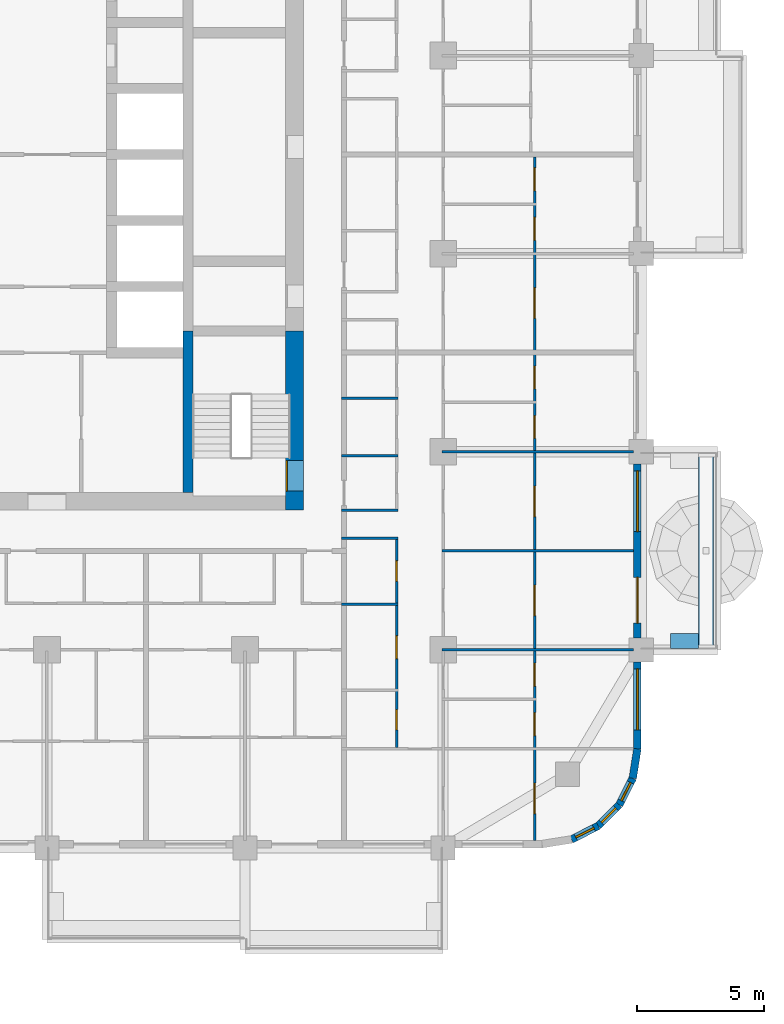
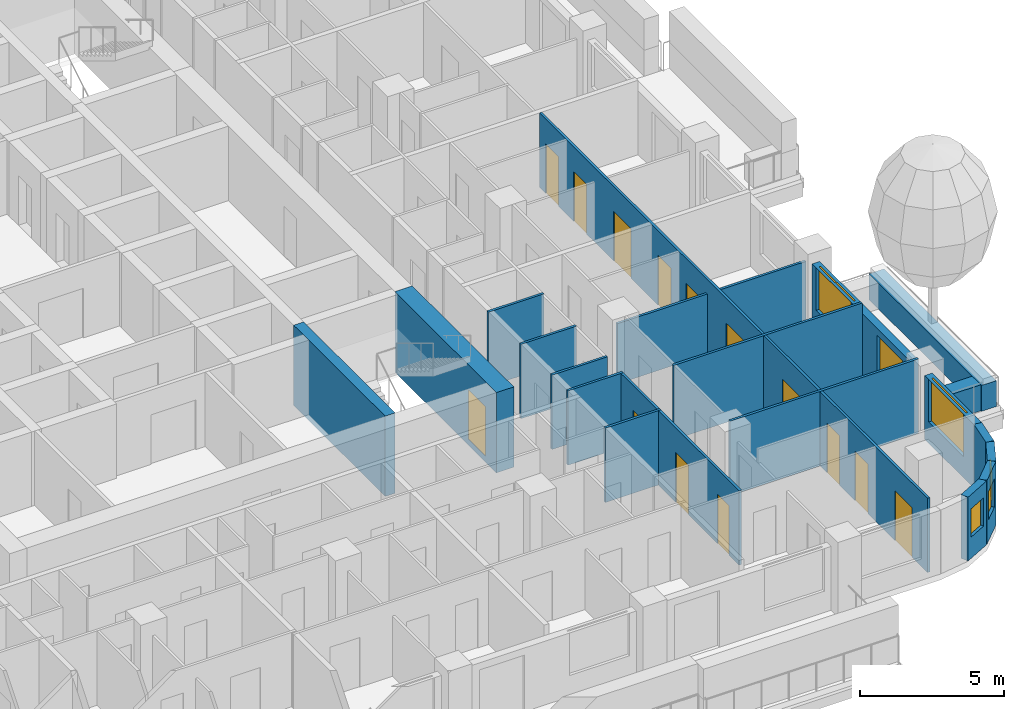
# One storey, part 8 of 19: 20 walls, 15 doors, 5 windows, 20 openings.
"""IFC4 building model written with IfcOpenShell, lengths in metres."""

from ifc_helpers import new_model, si_unit, direction, frame, frame_2d, origin, place, context, subcontext, project, spatial, rectangle, extrude, material, layer, layer_set, type_object, element, fill, save


model = new_model("IFC4")

# Units and contexts
model_context = context("Model", 3, precision=1e-05, world=origin(), true_north=direction((0.0, 1.0)))
body_context = subcontext(model_context, "Body", "Model", "MODEL_VIEW")
ifc_project = project(units=[si_unit("LENGTHUNIT", "METRE"), si_unit("AREAUNIT", "SQUARE_METRE"), si_unit("VOLUMEUNIT", "CUBIC_METRE"), si_unit("PLANEANGLEUNIT", "RADIAN"), si_unit("MASSUNIT", "GRAM", prefix="KILO")], contexts=[model_context])

# Site, building, storey
site_placement = place(None, origin())
site = spatial("IfcSite", under=ifc_project, at=site_placement, CompositionType="ELEMENT")
building_placement = place(site_placement, origin())
building = spatial("IfcBuilding", under=site, at=building_placement, Name="Ludao Terraces", CompositionType="ELEMENT")
storey_placement = place(building_placement, frame((0.0, 0.0, 81.800048828125)))
storey = spatial("IfcBuildingStorey", under=building, at=storey_placement, Name="L22", CompositionType="ELEMENT", Elevation=81.800048828125)

# Wall, opening, door
ifc_material_1 = material(Name="Concrete C70", Category="concrete")
ifc_layer_1 = layer(ifc_material_1, 0.699951171875)
ifc_layer_set_1 = layer_set([ifc_layer_1], Name="Core wall 700 C70")
wall_type_1 = type_object("IfcWallType", Name="Core wall 700 C70", PredefinedType="SOLIDWALL", material=ifc_layer_set_1)
wall_1_placement = place(storey_placement, frame((94.75, 54.89990234375, -0.25), z_axis=(0.0, 0.0, 1.0), x_axis=(0.0, 1.0, 0.0)))
wall_1 = element("IfcWall", 1, at=wall_1_placement, inside=storey, type_object=wall_type_1, Name="Core wall L22 outer-E-S3", PredefinedType="SOLIDWALL", context=body_context, shape_type="SweptSolid", body=[
    extrude(rectangle(XDim=7.050048828125, YDim=0.699951171875, at=frame_2d((3.52490234375, 0.0))), origin(), (0.0, 0.0, 1.0), 3.39990234375),
])
opening_1_placement = place(wall_1_placement, frame((0.75, 0.0, 0.25)))
opening_1 = element("IfcOpeningElement", 2, at=opening_1_placement, cuts=wall_1, Name="Opening R06-059", PredefinedType="OPENING", context=body_context, shape_type="SweptSolid", body=[
    extrude(rectangle(XDim=1.199951171875, YDim=2.10009765625, at=frame_2d((0.60009765625, 1.050048828125))), frame((0.0, 0.35986328125, 0.0), z_axis=(0.0, -1.0, 0.0), x_axis=(1.0, 0.0, 0.0)), (0.0, 0.0, 1.0), 0.719970703125),
])
ifc_material_2 = material(Name="Steel Q235", Category="steel")
door_type_1 = type_object("IfcDoorType", Name="INT Stair door 1200", OperationType="DOUBLE_DOOR_SINGLE_SWING", PredefinedType="DOOR", material=ifc_material_2)
door_1_placement = place(opening_1_placement, origin())
door_1 = element("IfcDoor", 3, at=door_1_placement, inside=storey, type_object=door_type_1, Name="DOOR 059", OperationType="DOUBLE_DOOR_SINGLE_SWING", OverallHeight=2.10009765625, OverallWidth=1.199951171875, PredefinedType="DOOR", context=body_context, shape_type="SweptSolid", body=[
    extrude(rectangle(XDim=1.199951171875, YDim=2.10009765625, at=frame_2d((0.60009765625, 1.050048828125))), frame((0.0, 0.3349609375, 0.0), z_axis=(0.0, -1.0, 0.0), x_axis=(1.0, 0.0, 0.0)), (0.0, 0.0, 1.0), 0.050048828125),
])
fill(opening_1, door_1)

# Walls
ifc_material_3 = material(Name="Concrete C40", Category="concrete")
ifc_layer_2 = layer(ifc_material_3, 0.60009765625)
ifc_layer_set_2 = layer_set([ifc_layer_2], Name="ENV Planter trough 600")
wall_type_2 = type_object("IfcWallType", Name="ENV Planter trough 600", PredefinedType="USERDEFINED", material=ifc_layer_set_2)
wall_2_placement = place(storey_placement, frame((110.949951171875, 49.39990234375, 0.0), z_axis=(0.0, 0.0, 1.0), x_axis=(0.0, 1.0, 0.0)))
element("IfcWall", 4, at=wall_2_placement, inside=storey, type_object=wall_type_2, Name="PL-L22-E1", ObjectType="PLANTER", PredefinedType="USERDEFINED", context=body_context, shape_type="SweptSolid", body=[
    extrude(rectangle(XDim=7.800048828125, YDim=0.60009765625, at=frame_2d((3.89990234375, 0.0))), origin(), (0.0, 0.0, 1.0), 1.099853515625),
])
wall_3_placement = place(storey_placement, frame((110.64990234375, 49.75, 0.0), z_axis=(0.0, 0.0, 1.0), x_axis=(-1.0, 0.0, 0.0)))
element("IfcWall", 5, at=wall_3_placement, inside=storey, type_object=wall_type_2, Name="PL-L22-E1-SA", ObjectType="PLANTER", PredefinedType="USERDEFINED", context=body_context, shape_type="SweptSolid", body=[
    extrude(rectangle(XDim=1.099853515625, YDim=0.60009765625, at=frame_2d((0.5498046875, 0.0))), origin(), (0.0, 0.0, 1.0), 1.099853515625),
])

# Wall, opening, window
ifc_material_4 = material(Name="Granite cladding", Category="masonry")
ifc_layer_3 = layer(ifc_material_4, 0.0400390625, Category="stone")
ifc_material_5 = material(Name="Mineral wool")
ifc_layer_4 = layer(ifc_material_5, 0.06005859375)
ifc_layer_5 = layer(ifc_material_3, 0.199951171875, Category="concrete")
ifc_layer_set_3 = layer_set([ifc_layer_3, ifc_layer_4, ifc_layer_5], Name="ENV Stone-clad wall 300")
wall_type_3 = type_object("IfcWallType", Name="ENV Stone-clad wall 300", PredefinedType="SOLIDWALL", material=ifc_layer_set_3)
wall_4_placement = place(storey_placement, frame((108.25, 45.5, 0.0), z_axis=(0.0, 0.0, 1.0), x_axis=(0.0, 1.0, 0.0)))
wall_4 = element("IfcWall", 6, at=wall_4_placement, inside=storey, type_object=wall_type_3, Name="EW-L22-E1", PredefinedType="SOLIDWALL", context=body_context, shape_type="SweptSolid", body=[
    extrude(rectangle(XDim=3.425048828125, YDim=0.300048828125, at=frame_2d((1.71240234375, 0.0))), origin(), (0.0, 0.0, 1.0), 2.699951171875),
])
opening_2_placement = place(wall_4_placement, frame((0.75, 0.0, 0.89990234375)))
opening_2 = element("IfcOpeningElement", 7, at=opening_2_placement, cuts=wall_4, Name="Opening W1", PredefinedType="OPENING", context=body_context, shape_type="SweptSolid", body=[
    extrude(rectangle(XDim=2.39990234375, YDim=1.800048828125, at=frame_2d((1.199951171875, 0.89990234375))), frame((0.0, 0.16015625, 0.0), z_axis=(0.0, -1.0, 0.0), x_axis=(1.0, 0.0, 0.0)), (0.0, 0.0, 1.0), 0.320068359375),
])
ifc_material_6 = material(Name="Clear glass in aluminium frame", Category="aluminium")
ifc_layer_6 = layer(ifc_material_6, 0.06005859375)
ifc_layer_set_4 = layer_set([ifc_layer_6], Name="ENV Window W1 2400x1800")
window_type_1 = type_object("IfcWindowType", Name="ENV Window W1 2400x1800", PartitioningType="DOUBLE_PANEL_VERTICAL", PredefinedType="WINDOW", material=ifc_layer_set_4)
window_1_placement = place(opening_2_placement, origin())
window_1 = element("IfcWindow", 8, at=window_1_placement, inside=storey, type_object=window_type_1, Name="W-L22-E1-1", OverallHeight=1.800048828125, OverallWidth=2.39990234375, PartitioningType="DOUBLE_PANEL_VERTICAL", PredefinedType="WINDOW", context=body_context, shape_type="SweptSolid", body=[
    extrude(rectangle(XDim=2.39990234375, YDim=1.800048828125, at=frame_2d((1.199951171875, 0.89990234375))), frame((0.0, 0.030029296875, 0.0), z_axis=(0.0, -1.0, 0.0), x_axis=(1.0, 0.0, 0.0)), (0.0, 0.0, 1.0), 0.06005859375),
])
fill(opening_2, window_1)

# Wall, openings, door, window
wall_5_placement = place(storey_placement, frame((108.25, 49.875, 0.0), z_axis=(0.0, 0.0, 1.0), x_axis=(0.0, 1.0, 0.0)))
wall_5 = element("IfcWall", 9, at=wall_5_placement, inside=storey, type_object=wall_type_3, Name="EW-L22-E2", PredefinedType="SOLIDWALL", context=body_context, shape_type="SweptSolid", body=[
    extrude(rectangle(XDim=6.85009765625, YDim=0.300048828125, at=frame_2d((3.425048828125, 0.0))), origin(), (0.0, 0.0, 1.0), 2.699951171875),
])
opening_3_placement = place(wall_5_placement, frame((0.574951171875, 0.0, 0.0)))
opening_3 = element("IfcOpeningElement", 10, at=opening_3_placement, cuts=wall_5, Name="Opening BD", PredefinedType="OPENING", context=body_context, shape_type="SweptSolid", body=[
    extrude(rectangle(XDim=1.800048828125, YDim=2.39990234375, at=frame_2d((0.89990234375, 1.199951171875))), frame((0.0, 0.16015625, 0.0), z_axis=(0.0, -1.0, 0.0), x_axis=(1.0, 0.0, 0.0)), (0.0, 0.0, 1.0), 0.320068359375),
])
opening_4_placement = place(wall_5_placement, frame((4.175048828125, 0.0, 0.89990234375)))
opening_4 = element("IfcOpeningElement", 11, at=opening_4_placement, cuts=wall_5, Name="Opening W1", PredefinedType="OPENING", context=body_context, shape_type="SweptSolid", body=[
    extrude(rectangle(XDim=2.39990234375, YDim=1.800048828125, at=frame_2d((1.199951171875, 0.89990234375))), frame((0.0, 0.16015625, 0.0), z_axis=(0.0, -1.0, 0.0), x_axis=(1.0, 0.0, 0.0)), (0.0, 0.0, 1.0), 0.320068359375),
])
ifc_material_7 = material(Name="Aluminium glazed door", Category="aluminium")
ifc_layer_7 = layer(ifc_material_7, 0.06005859375)
ifc_layer_set_5 = layer_set([ifc_layer_7], Name="ENV Balcony door BD 1800x2400")
door_type_2 = type_object("IfcDoorType", Name="ENV Balcony door BD 1800x2400", OperationType="DOUBLE_DOOR_SINGLE_SWING", PredefinedType="DOOR", material=ifc_layer_set_5)
door_2_placement = place(opening_3_placement, origin())
door_2 = element("IfcDoor", 12, at=door_2_placement, inside=storey, type_object=door_type_2, Name="BD-L22-E2-1", OperationType="DOUBLE_DOOR_SINGLE_SWING", OverallHeight=2.39990234375, OverallWidth=1.800048828125, PredefinedType="DOOR", context=body_context, shape_type="SweptSolid", body=[
    extrude(rectangle(XDim=1.800048828125, YDim=2.39990234375, at=frame_2d((0.89990234375, 1.199951171875))), frame((0.0, 0.02490234375, 0.0), z_axis=(0.0, -1.0, 0.0), x_axis=(1.0, 0.0, 0.0)), (0.0, 0.0, 1.0), 0.050048828125),
])
fill(opening_3, door_2)
window_2_placement = place(opening_4_placement, origin())
window_2 = element("IfcWindow", 13, at=window_2_placement, inside=storey, type_object=window_type_1, Name="W-L22-E2-2", OverallHeight=1.800048828125, OverallWidth=2.39990234375, PartitioningType="DOUBLE_PANEL_VERTICAL", PredefinedType="WINDOW", context=body_context, shape_type="SweptSolid", body=[
    extrude(rectangle(XDim=2.39990234375, YDim=1.800048828125, at=frame_2d((1.199951171875, 0.89990234375))), frame((0.0, 0.030029296875, 0.0), z_axis=(0.0, -1.0, 0.0), x_axis=(1.0, 0.0, 0.0)), (0.0, 0.0, 1.0), 0.06005859375),
])
fill(opening_4, window_2)

# Wall, opening, window
wall_6_placement = place(storey_placement, frame((105.65869140625, 41.93359375, 0.0), z_axis=(0.0, 0.0, 1.0), x_axis=(0.890988677504, 0.454025524128, 0.0)))
wall_6 = element("IfcWall", 14, at=wall_6_placement, inside=storey, type_object=wall_type_3, Name="EW-L22-SE2", PredefinedType="SOLIDWALL", context=body_context, shape_type="SweptSolid", body=[
    extrude(rectangle(XDim=1.17333984375, YDim=0.300048828125, at=frame_2d((0.586669921875, 0.0))), origin(), (0.0, 0.0, 1.0), 2.699951171875),
])
opening_5_placement = place(wall_6_placement, frame((0.1865234375, 0.0, 0.89990234375)))
opening_5 = element("IfcOpeningElement", 15, at=opening_5_placement, cuts=wall_6, Name="Opening W3", PredefinedType="OPENING", context=body_context, shape_type="SweptSolid", body=[
    extrude(rectangle(XDim=0.800048828125, YDim=1.199951171875, at=frame_2d((0.39990234375, 0.60009765625))), frame((0.0, 0.16015625, 0.0), z_axis=(0.0, -1.0, 0.0), x_axis=(1.0, 0.0, 0.0)), (0.0, 0.0, 1.0), 0.320068359375),
])
ifc_layer_8 = layer(ifc_material_6, 0.06005859375)
ifc_layer_set_6 = layer_set([ifc_layer_8], Name="ENV Window W3 800x1200")
window_type_2 = type_object("IfcWindowType", Name="ENV Window W3 800x1200", PartitioningType="SINGLE_PANEL", PredefinedType="WINDOW", material=ifc_layer_set_6)
window_3_placement = place(opening_5_placement, origin())
window_3 = element("IfcWindow", 16, at=window_3_placement, inside=storey, type_object=window_type_2, Name="W-L22-SE2", OverallHeight=1.199951171875, OverallWidth=0.800048828125, PartitioningType="SINGLE_PANEL", PredefinedType="WINDOW", context=body_context, shape_type="SweptSolid", body=[
    extrude(rectangle(XDim=0.800048828125, YDim=1.199951171875, at=frame_2d((0.39990234375, 0.60009765625))), frame((0.0, 0.030029296875, 0.0), z_axis=(0.0, -1.0, 0.0), x_axis=(1.0, 0.0, 0.0)), (0.0, 0.0, 1.0), 0.06005859375),
])
fill(opening_5, window_3)

wall_7_placement = place(storey_placement, frame((106.7041015625, 42.46630859375, 0.0), z_axis=(0.0, 0.0, 1.0), x_axis=(0.707106781187, 0.707106781187, 0.0)))
wall_7 = element("IfcWall", 17, at=wall_7_placement, inside=storey, type_object=wall_type_3, Name="EW-L22-SE3", PredefinedType="SOLIDWALL", context=body_context, shape_type="SweptSolid", body=[
    extrude(rectangle(XDim=1.173095703125, YDim=0.300048828125, at=frame_2d((0.58642578125, 0.0))), origin(), (0.0, 0.0, 1.0), 2.699951171875),
])
opening_6_placement = place(wall_7_placement, frame((0.1865234375, 0.0, 0.89990234375)))
opening_6 = element("IfcOpeningElement", 18, at=opening_6_placement, cuts=wall_7, Name="Opening W3", PredefinedType="OPENING", context=body_context, shape_type="SweptSolid", body=[
    extrude(rectangle(XDim=0.800048828125, YDim=1.199951171875, at=frame_2d((0.39990234375, 0.60009765625))), frame((0.0, 0.16015625, 0.0), z_axis=(0.0, -1.0, 0.0), x_axis=(1.0, 0.0, 0.0)), (0.0, 0.0, 1.0), 0.320068359375),
])
window_4_placement = place(opening_6_placement, origin())
window_4 = element("IfcWindow", 19, at=window_4_placement, inside=storey, type_object=window_type_2, Name="W-L22-SE3", OverallHeight=1.199951171875, OverallWidth=0.800048828125, PartitioningType="SINGLE_PANEL", PredefinedType="WINDOW", context=body_context, shape_type="SweptSolid", body=[
    extrude(rectangle(XDim=0.800048828125, YDim=1.199951171875, at=frame_2d((0.39990234375, 0.60009765625))), frame((0.0, 0.030029296875, 0.0), z_axis=(0.0, -1.0, 0.0), x_axis=(1.0, 0.0, 0.0)), (0.0, 0.0, 1.0), 0.06005859375),
])
fill(opening_6, window_4)

wall_8_placement = place(storey_placement, frame((107.53369140625, 43.2958984375, 0.0), z_axis=(0.0, 0.0, 1.0), x_axis=(0.454025524128, 0.890988677504, 0.0)))
wall_8 = element("IfcWall", 20, at=wall_8_placement, inside=storey, type_object=wall_type_3, Name="EW-L22-SE4", PredefinedType="SOLIDWALL", context=body_context, shape_type="SweptSolid", body=[
    extrude(rectangle(XDim=1.17333984375, YDim=0.300048828125, at=frame_2d((0.586669921875, 0.0))), origin(), (0.0, 0.0, 1.0), 2.699951171875),
])
opening_7_placement = place(wall_8_placement, frame((0.1865234375, 0.0, 0.89990234375)))
opening_7 = element("IfcOpeningElement", 21, at=opening_7_placement, cuts=wall_8, Name="Opening W3", PredefinedType="OPENING", context=body_context, shape_type="SweptSolid", body=[
    extrude(rectangle(XDim=0.800048828125, YDim=1.199951171875, at=frame_2d((0.39990234375, 0.60009765625))), frame((0.0, 0.16015625, 0.0), z_axis=(0.0, -1.0, 0.0), x_axis=(1.0, 0.0, 0.0)), (0.0, 0.0, 1.0), 0.320068359375),
])
window_5_placement = place(opening_7_placement, origin())
window_5 = element("IfcWindow", 22, at=window_5_placement, inside=storey, type_object=window_type_2, Name="W-L22-SE4", OverallHeight=1.199951171875, OverallWidth=0.800048828125, PartitioningType="SINGLE_PANEL", PredefinedType="WINDOW", context=body_context, shape_type="SweptSolid", body=[
    extrude(rectangle(XDim=0.800048828125, YDim=1.199951171875, at=frame_2d((0.39990234375, 0.60009765625))), frame((0.0, 0.030029296875, 0.0), z_axis=(0.0, -1.0, 0.0), x_axis=(1.0, 0.0, 0.0)), (0.0, 0.0, 1.0), 0.06005859375),
])
fill(opening_7, window_5)

# Walls
wall_9_placement = place(storey_placement, frame((108.06640625, 44.34130859375, 0.0), z_axis=(0.0, 0.0, 1.0), x_axis=(0.156496880861, 0.987678452879, 0.0)))
element("IfcWall", 23, at=wall_9_placement, inside=storey, type_object=wall_type_3, Name="EW-L22-SE5", PredefinedType="SOLIDWALL", context=body_context, shape_type="SweptSolid", body=[
    extrude(rectangle(XDim=1.173095703125, YDim=0.300048828125, at=frame_2d((0.58642578125, 0.0))), origin(), (0.0, 0.0, 1.0), 2.699951171875),
])
ifc_material_8 = material(Name="Gypsum plasterboard", Category="gypsum")
ifc_layer_9 = layer(ifc_material_8, 0.012451171875, Category="gypsum")
ifc_layer_10 = layer(ifc_material_5, 0.06005859375, Name="insulation")
ifc_layer_11 = layer(ifc_material_2, 0.014892578125, Name="stud")
ifc_layer_12 = layer(ifc_material_8, 0.012451171875, Category="gypsum")
ifc_layer_set_7 = layer_set([ifc_layer_9, ifc_layer_10, ifc_layer_11, ifc_layer_12], Name="INT Partition 100")
wall_type_4 = type_object("IfcWallType", Name="INT Partition 100", PredefinedType="PARTITIONING", material=ifc_layer_set_7)
wall_10_placement = place(storey_placement, frame((100.550048828125, 49.39990234375, 0.0), z_axis=(0.0, 0.0, 1.0), x_axis=(1.0, 0.0, 0.0)))
element("IfcWall", 24, at=wall_10_placement, inside=storey, type_object=wall_type_4, Name="PW-L22-PW010", PredefinedType="PARTITIONING", context=body_context, shape_type="SweptSolid", body=[
    extrude(rectangle(XDim=7.550048828125, YDim=0.10009765625, at=frame_2d((3.77490234375, 0.0))), origin(), (0.0, 0.0, 1.0), 3.14990234375),
])
wall_11_placement = place(storey_placement, frame((96.60009765625, 51.199951171875, 0.0), z_axis=(0.0, 0.0, 1.0), x_axis=(1.0, 0.0, 0.0)))
element("IfcWall", 25, at=wall_11_placement, inside=storey, type_object=wall_type_4, Name="PW-L22-PW012", PredefinedType="PARTITIONING", context=body_context, shape_type="SweptSolid", body=[
    extrude(rectangle(XDim=2.219970703125, YDim=0.10009765625, at=frame_2d((1.10986328125, 0.0))), origin(), (0.0, 0.0, 1.0), 3.14990234375),
])
wall_12_placement = place(storey_placement, frame((100.550048828125, 53.300048828125, 0.0), z_axis=(0.0, 0.0, 1.0), x_axis=(1.0, 0.0, 0.0)))
element("IfcWall", 26, at=wall_12_placement, inside=storey, type_object=wall_type_4, Name="PW-L22-PW021", PredefinedType="PARTITIONING", context=body_context, shape_type="SweptSolid", body=[
    extrude(rectangle(XDim=7.550048828125, YDim=0.10009765625, at=frame_2d((3.77490234375, 0.0))), origin(), (0.0, 0.0, 1.0), 3.14990234375),
])
for number, where, z_axis, x_axis, name in (
    (27, (96.60009765625, 53.800048828125, 0.0), (0.0, 0.0, 1.0), (1.0, 0.0, 0.0), "PW-L22-PW022"),
    (28, (96.60009765625, 54.89990234375, 0.0), (0.0, 0.0, 1.0), (1.0, 0.0, 0.0), "PW-L22-PW024"),
    (29, (96.60009765625, 57.050048828125, 0.0), (0.0, 0.0, 1.0), (1.0, 0.0, 0.0), "PW-L22-PW026"),
):
    element("IfcWall", number, at=place(storey_placement, frame(where, z_axis=z_axis, x_axis=x_axis)), inside=storey, type_object=wall_type_4, Name=name, PredefinedType="PARTITIONING", context=body_context, shape_type="SweptSolid", body=[
        extrude(rectangle(XDim=2.219970703125, YDim=0.10009765625, at=frame_2d((1.10986328125, 0.0))), origin(), (0.0, 0.0, 1.0), 3.14990234375),
    ])
wall_13_placement = place(storey_placement, frame((100.550048828125, 57.199951171875, 0.0), z_axis=(0.0, 0.0, 1.0), x_axis=(1.0, 0.0, 0.0)))
element("IfcWall", 30, at=wall_13_placement, inside=storey, type_object=wall_type_4, Name="PW-L22-PW028", PredefinedType="PARTITIONING", context=body_context, shape_type="SweptSolid", body=[
    extrude(rectangle(XDim=7.550048828125, YDim=0.10009765625, at=frame_2d((3.77490234375, 0.0))), origin(), (0.0, 0.0, 1.0), 2.5498046875),
])
wall_14_placement = place(storey_placement, frame((96.60009765625, 59.300048828125, 0.0), z_axis=(0.0, 0.0, 1.0), x_axis=(1.0, 0.0, 0.0)))
element("IfcWall", 31, at=wall_14_placement, inside=storey, type_object=wall_type_4, Name="PW-L22-PW032", PredefinedType="PARTITIONING", context=body_context, shape_type="SweptSolid", body=[
    extrude(rectangle(XDim=2.219970703125, YDim=0.10009765625, at=frame_2d((1.10986328125, 0.0))), origin(), (0.0, 0.0, 1.0), 3.14990234375),
])

# Wall, openings, doors
wall_15_placement = place(storey_placement, frame((98.77001953125, 45.550048828125, 0.0), z_axis=(0.0, 0.0, 1.0), x_axis=(0.0, 1.0, 0.0)))
wall_15 = element("IfcWall", 32, at=wall_15_placement, inside=storey, type_object=wall_type_4, Name="PW-L22-PW118", PredefinedType="PARTITIONING", context=body_context, shape_type="SweptSolid", body=[
    extrude(rectangle(XDim=8.199951171875, YDim=0.10009765625, at=frame_2d((4.10009765625, 0.0))), origin(), (0.0, 0.0, 1.0), 3.14990234375),
])
opening_8_placement = place(wall_15_placement, frame((0.699951171875, 0.0, 0.0)))
opening_8 = element("IfcOpeningElement", 33, at=opening_8_placement, cuts=wall_15, Name="Opening R06-018", PredefinedType="OPENING", context=body_context, shape_type="SweptSolid", body=[
    extrude(rectangle(XDim=0.800048828125, YDim=2.10009765625, at=frame_2d((0.39990234375, 1.050048828125))), frame((0.0, 0.06005859375, 0.0), z_axis=(0.0, -1.0, 0.0), x_axis=(1.0, 0.0, 0.0)), (0.0, 0.0, 1.0), 0.1201171875),
])
opening_9_placement = place(wall_15_placement, frame((3.5, 0.0, 0.0)))
opening_9 = element("IfcOpeningElement", 34, at=opening_9_placement, cuts=wall_15, Name="Opening R06-030", PredefinedType="OPENING", context=body_context, shape_type="SweptSolid", body=[
    extrude(rectangle(XDim=0.89990234375, YDim=2.10009765625, at=frame_2d((0.449951171875, 1.050048828125))), frame((0.0, 0.06005859375, 0.0), z_axis=(0.0, -1.0, 0.0), x_axis=(1.0, 0.0, 0.0)), (0.0, 0.0, 1.0), 0.1201171875),
])
opening_10_placement = place(wall_15_placement, frame((6.550048828125, 0.0, 0.0)))
opening_10 = element("IfcOpeningElement", 35, at=opening_10_placement, cuts=wall_15, Name="Opening R06-046", PredefinedType="OPENING", context=body_context, shape_type="SweptSolid", body=[
    extrude(rectangle(XDim=0.800048828125, YDim=2.10009765625, at=frame_2d((0.39990234375, 1.050048828125))), frame((0.0, 0.06005859375, 0.0), z_axis=(0.0, -1.0, 0.0), x_axis=(1.0, 0.0, 0.0)), (0.0, 0.0, 1.0), 0.1201171875),
])
ifc_material_9 = material(Name="Timber door leaf", Category="wood")
door_type_3 = type_object("IfcDoorType", Name="INT Room door 900", OperationType="SINGLE_SWING_LEFT", PredefinedType="DOOR", material=ifc_material_9)
door_3_placement = place(opening_9_placement, origin())
door_3 = element("IfcDoor", 36, at=door_3_placement, inside=storey, type_object=door_type_3, Name="DOOR 030", OperationType="SINGLE_SWING_LEFT", OverallHeight=2.10009765625, OverallWidth=0.89990234375, PredefinedType="DOOR", context=body_context, shape_type="SweptSolid", body=[
    extrude(rectangle(XDim=0.89990234375, YDim=2.10009765625, at=frame_2d((0.449951171875, 1.050048828125))), frame((0.0, 0.02490234375, 0.0), z_axis=(0.0, -1.0, 0.0), x_axis=(1.0, 0.0, 0.0)), (0.0, 0.0, 1.0), 0.050048828125),
])
fill(opening_9, door_3)
door_type_4 = type_object("IfcDoorType", Name="INT Store door 800", OperationType="SINGLE_SWING_LEFT", PredefinedType="DOOR", material=ifc_material_9)
door_4_placement = place(opening_8_placement, origin())
door_4 = element("IfcDoor", 37, at=door_4_placement, inside=storey, type_object=door_type_4, Name="DOOR 018", OperationType="SINGLE_SWING_RIGHT", OverallHeight=2.10009765625, OverallWidth=0.800048828125, PredefinedType="DOOR", context=body_context, shape_type="SweptSolid", body=[
    extrude(rectangle(XDim=0.800048828125, YDim=2.10009765625, at=frame_2d((0.39990234375, 1.050048828125))), frame((0.0, 0.02490234375, 0.0), z_axis=(0.0, -1.0, 0.0), x_axis=(1.0, 0.0, 0.0)), (0.0, 0.0, 1.0), 0.050048828125),
])
fill(opening_8, door_4)
door_5_placement = place(opening_10_placement, origin())
door_5 = element("IfcDoor", 38, at=door_5_placement, inside=storey, type_object=door_type_4, Name="DOOR 046", OperationType="SINGLE_SWING_LEFT", OverallHeight=2.10009765625, OverallWidth=0.800048828125, PredefinedType="DOOR", context=body_context, shape_type="SweptSolid", body=[
    extrude(rectangle(XDim=0.800048828125, YDim=2.10009765625, at=frame_2d((0.39990234375, 1.050048828125))), frame((0.0, 0.02490234375, 0.0), z_axis=(0.0, -1.0, 0.0), x_axis=(1.0, 0.0, 0.0)), (0.0, 0.0, 1.0), 0.050048828125),
])
fill(opening_10, door_5)

wall_16_placement = place(storey_placement, frame((104.199951171875, 41.900146484375, 0.0), z_axis=(0.0, 0.0, 1.0), x_axis=(0.0, 1.0, 0.0)))
wall_16 = element("IfcWall", 39, at=wall_16_placement, inside=storey, type_object=wall_type_4, Name="PW-L22-PW125", PredefinedType="PARTITIONING", context=body_context, shape_type="SweptSolid", body=[
    extrude(rectangle(XDim=26.89990234375, YDim=0.10009765625, at=frame_2d((13.449951171875, 0.0))), origin(), (0.0, 0.0, 1.0), 3.14990234375),
])
opening_11_placement = place(wall_16_placement, frame((1.050048828125, 0.0, 0.0)))
opening_11 = element("IfcOpeningElement", 40, at=opening_11_placement, cuts=wall_16, Name="Opening R06-004", PredefinedType="OPENING", context=body_context, shape_type="SweptSolid", body=[
    extrude(rectangle(XDim=1.199951171875, YDim=2.10009765625, at=frame_2d((0.60009765625, 1.050048828125))), frame((0.0, 0.06005859375, 0.0), z_axis=(0.0, -1.0, 0.0), x_axis=(1.0, 0.0, 0.0)), (0.0, 0.0, 1.0), 0.1201171875),
])
opening_12_placement = place(wall_16_placement, frame((4.125, 0.0, 0.0)))
opening_12 = element("IfcOpeningElement", 41, at=opening_12_placement, cuts=wall_16, Name="Opening R06-016", PredefinedType="OPENING", context=body_context, shape_type="SweptSolid", body=[
    extrude(rectangle(XDim=0.89990234375, YDim=2.10009765625, at=frame_2d((0.449951171875, 1.050048828125))), frame((0.0, 0.06005859375, 0.0), z_axis=(0.0, -1.0, 0.0), x_axis=(1.0, 0.0, 0.0)), (0.0, 0.0, 1.0), 0.1201171875),
])
opening_13_placement = place(wall_16_placement, frame((6.074951171875, 0.0, 0.0)))
opening_13 = element("IfcOpeningElement", 42, at=opening_13_placement, cuts=wall_16, Name="Opening R06-022", PredefinedType="OPENING", context=body_context, shape_type="SweptSolid", body=[
    extrude(rectangle(XDim=0.89990234375, YDim=2.10009765625, at=frame_2d((0.449951171875, 1.050048828125))), frame((0.0, 0.06005859375, 0.0), z_axis=(0.0, -1.0, 0.0), x_axis=(1.0, 0.0, 0.0)), (0.0, 0.0, 1.0), 0.1201171875),
])
opening_14_placement = place(wall_16_placement, frame((8.85009765625, 0.0, 0.0)))
opening_14 = element("IfcOpeningElement", 43, at=opening_14_placement, cuts=wall_16, Name="Opening R06-043", PredefinedType="OPENING", context=body_context, shape_type="SweptSolid", body=[
    extrude(rectangle(XDim=1.199951171875, YDim=2.10009765625, at=frame_2d((0.60009765625, 1.050048828125))), frame((0.0, 0.06005859375, 0.0), z_axis=(0.0, -1.0, 0.0), x_axis=(1.0, 0.0, 0.0)), (0.0, 0.0, 1.0), 0.1201171875),
])
opening_15_placement = place(wall_16_placement, frame((12.75, 0.0, 0.0)))
opening_15 = element("IfcOpeningElement", 44, at=opening_15_placement, cuts=wall_16, Name="Opening R06-055", PredefinedType="OPENING", context=body_context, shape_type="SweptSolid", body=[
    extrude(rectangle(XDim=1.199951171875, YDim=2.10009765625, at=frame_2d((0.60009765625, 1.050048828125))), frame((0.0, 0.06005859375, 0.0), z_axis=(0.0, -1.0, 0.0), x_axis=(1.0, 0.0, 0.0)), (0.0, 0.0, 1.0), 0.1201171875),
])
opening_16_placement = place(wall_16_placement, frame((15.824951171875, 0.0, 0.0)))
opening_16 = element("IfcOpeningElement", 45, at=opening_16_placement, cuts=wall_16, Name="Opening R06-065", PredefinedType="OPENING", context=body_context, shape_type="SweptSolid", body=[
    extrude(rectangle(XDim=0.89990234375, YDim=2.10009765625, at=frame_2d((0.449951171875, 1.050048828125))), frame((0.0, 0.06005859375, 0.0), z_axis=(0.0, -1.0, 0.0), x_axis=(1.0, 0.0, 0.0)), (0.0, 0.0, 1.0), 0.1201171875),
])
opening_17_placement = place(wall_16_placement, frame((17.77490234375, 0.0, 0.0)))
opening_17 = element("IfcOpeningElement", 46, at=opening_17_placement, cuts=wall_16, Name="Opening R06-070", PredefinedType="OPENING", context=body_context, shape_type="SweptSolid", body=[
    extrude(rectangle(XDim=0.89990234375, YDim=2.10009765625, at=frame_2d((0.449951171875, 1.050048828125))), frame((0.0, 0.06005859375, 0.0), z_axis=(0.0, -1.0, 0.0), x_axis=(1.0, 0.0, 0.0)), (0.0, 0.0, 1.0), 0.1201171875),
])
opening_18_placement = place(wall_16_placement, frame((20.550048828125, 0.0, 0.0)))
opening_18 = element("IfcOpeningElement", 47, at=opening_18_placement, cuts=wall_16, Name="Opening R06-080", PredefinedType="OPENING", context=body_context, shape_type="SweptSolid", body=[
    extrude(rectangle(XDim=1.199951171875, YDim=2.10009765625, at=frame_2d((0.60009765625, 1.050048828125))), frame((0.0, 0.06005859375, 0.0), z_axis=(0.0, -1.0, 0.0), x_axis=(1.0, 0.0, 0.0)), (0.0, 0.0, 1.0), 0.1201171875),
])
opening_19_placement = place(wall_16_placement, frame((23.625, 0.0, 0.0)))
opening_19 = element("IfcOpeningElement", 48, at=opening_19_placement, cuts=wall_16, Name="Opening R06-088", PredefinedType="OPENING", context=body_context, shape_type="SweptSolid", body=[
    extrude(rectangle(XDim=0.89990234375, YDim=2.10009765625, at=frame_2d((0.449951171875, 1.050048828125))), frame((0.0, 0.06005859375, 0.0), z_axis=(0.0, -1.0, 0.0), x_axis=(1.0, 0.0, 0.0)), (0.0, 0.0, 1.0), 0.1201171875),
])
opening_20_placement = place(wall_16_placement, frame((25.574951171875, 0.0, 0.0)))
opening_20 = element("IfcOpeningElement", 49, at=opening_20_placement, cuts=wall_16, Name="Opening R06-097", PredefinedType="OPENING", context=body_context, shape_type="SweptSolid", body=[
    extrude(rectangle(XDim=0.89990234375, YDim=2.10009765625, at=frame_2d((0.449951171875, 1.050048828125))), frame((0.0, 0.06005859375, 0.0), z_axis=(0.0, -1.0, 0.0), x_axis=(1.0, 0.0, 0.0)), (0.0, 0.0, 1.0), 0.1201171875),
])
door_type_5 = type_object("IfcDoorType", Name="INT Bathroom door 900", OperationType="SINGLE_SWING_LEFT", PredefinedType="DOOR", material=ifc_material_9)
door_6_placement = place(opening_12_placement, origin())
door_6 = element("IfcDoor", 50, at=door_6_placement, inside=storey, type_object=door_type_5, Name="DOOR 016", OperationType="SINGLE_SWING_LEFT", OverallHeight=2.10009765625, OverallWidth=0.89990234375, PredefinedType="DOOR", context=body_context, shape_type="SweptSolid", body=[
    extrude(rectangle(XDim=0.89990234375, YDim=2.10009765625, at=frame_2d((0.449951171875, 1.050048828125))), frame((0.0, 0.02490234375, 0.0), z_axis=(0.0, -1.0, 0.0), x_axis=(1.0, 0.0, 0.0)), (0.0, 0.0, 1.0), 0.050048828125),
])
fill(opening_12, door_6)
door_7_placement = place(opening_16_placement, origin())
door_7 = element("IfcDoor", 51, at=door_7_placement, inside=storey, type_object=door_type_5, Name="DOOR 065", OperationType="SINGLE_SWING_RIGHT", OverallHeight=2.10009765625, OverallWidth=0.89990234375, PredefinedType="DOOR", context=body_context, shape_type="SweptSolid", body=[
    extrude(rectangle(XDim=0.89990234375, YDim=2.10009765625, at=frame_2d((0.449951171875, 1.050048828125))), frame((0.0, 0.02490234375, 0.0), z_axis=(0.0, -1.0, 0.0), x_axis=(1.0, 0.0, 0.0)), (0.0, 0.0, 1.0), 0.050048828125),
])
fill(opening_16, door_7)
door_8_placement = place(opening_19_placement, origin())
door_8 = element("IfcDoor", 52, at=door_8_placement, inside=storey, type_object=door_type_5, Name="DOOR 088", OperationType="SINGLE_SWING_RIGHT", OverallHeight=2.10009765625, OverallWidth=0.89990234375, PredefinedType="DOOR", context=body_context, shape_type="SweptSolid", body=[
    extrude(rectangle(XDim=0.89990234375, YDim=2.10009765625, at=frame_2d((0.449951171875, 1.050048828125))), frame((0.0, 0.02490234375, 0.0), z_axis=(0.0, -1.0, 0.0), x_axis=(1.0, 0.0, 0.0)), (0.0, 0.0, 1.0), 0.050048828125),
])
fill(opening_19, door_8)
door_type_6 = type_object("IfcDoorType", Name="INT Double door 1200", OperationType="DOUBLE_DOOR_SINGLE_SWING", PredefinedType="DOOR", material=ifc_material_9)
door_9_placement = place(opening_11_placement, origin())
door_9 = element("IfcDoor", 53, at=door_9_placement, inside=storey, type_object=door_type_6, Name="DOOR 004", OperationType="DOUBLE_DOOR_SINGLE_SWING", OverallHeight=2.10009765625, OverallWidth=1.199951171875, PredefinedType="DOOR", context=body_context, shape_type="SweptSolid", body=[
    extrude(rectangle(XDim=1.199951171875, YDim=2.10009765625, at=frame_2d((0.60009765625, 1.050048828125))), frame((0.0, 0.02490234375, 0.0), z_axis=(0.0, -1.0, 0.0), x_axis=(1.0, 0.0, 0.0)), (0.0, 0.0, 1.0), 0.050048828125),
])
fill(opening_11, door_9)
door_10_placement = place(opening_14_placement, origin())
door_10 = element("IfcDoor", 54, at=door_10_placement, inside=storey, type_object=door_type_6, Name="DOOR 043", OperationType="DOUBLE_DOOR_SINGLE_SWING", OverallHeight=2.10009765625, OverallWidth=1.199951171875, PredefinedType="DOOR", context=body_context, shape_type="SweptSolid", body=[
    extrude(rectangle(XDim=1.199951171875, YDim=2.10009765625, at=frame_2d((0.60009765625, 1.050048828125))), frame((0.0, 0.02490234375, 0.0), z_axis=(0.0, -1.0, 0.0), x_axis=(1.0, 0.0, 0.0)), (0.0, 0.0, 1.0), 0.050048828125),
])
fill(opening_14, door_10)
door_11_placement = place(opening_15_placement, origin())
door_11 = element("IfcDoor", 55, at=door_11_placement, inside=storey, type_object=door_type_6, Name="DOOR 055", OperationType="DOUBLE_DOOR_SINGLE_SWING", OverallHeight=2.10009765625, OverallWidth=1.199951171875, PredefinedType="DOOR", context=body_context, shape_type="SweptSolid", body=[
    extrude(rectangle(XDim=1.199951171875, YDim=2.10009765625, at=frame_2d((0.60009765625, 1.050048828125))), frame((0.0, 0.02490234375, 0.0), z_axis=(0.0, -1.0, 0.0), x_axis=(1.0, 0.0, 0.0)), (0.0, 0.0, 1.0), 0.050048828125),
])
fill(opening_15, door_11)
door_12_placement = place(opening_18_placement, origin())
door_12 = element("IfcDoor", 56, at=door_12_placement, inside=storey, type_object=door_type_6, Name="DOOR 080", OperationType="DOUBLE_DOOR_SINGLE_SWING", OverallHeight=2.10009765625, OverallWidth=1.199951171875, PredefinedType="DOOR", context=body_context, shape_type="SweptSolid", body=[
    extrude(rectangle(XDim=1.199951171875, YDim=2.10009765625, at=frame_2d((0.60009765625, 1.050048828125))), frame((0.0, 0.02490234375, 0.0), z_axis=(0.0, -1.0, 0.0), x_axis=(1.0, 0.0, 0.0)), (0.0, 0.0, 1.0), 0.050048828125),
])
fill(opening_18, door_12)
door_13_placement = place(opening_13_placement, origin())
door_13 = element("IfcDoor", 57, at=door_13_placement, inside=storey, type_object=door_type_3, Name="DOOR 022", OperationType="SINGLE_SWING_RIGHT", OverallHeight=2.10009765625, OverallWidth=0.89990234375, PredefinedType="DOOR", context=body_context, shape_type="SweptSolid", body=[
    extrude(rectangle(XDim=0.89990234375, YDim=2.10009765625, at=frame_2d((0.449951171875, 1.050048828125))), frame((0.0, 0.02490234375, 0.0), z_axis=(0.0, -1.0, 0.0), x_axis=(1.0, 0.0, 0.0)), (0.0, 0.0, 1.0), 0.050048828125),
])
fill(opening_13, door_13)
door_14_placement = place(opening_17_placement, origin())
door_14 = element("IfcDoor", 58, at=door_14_placement, inside=storey, type_object=door_type_3, Name="DOOR 070", OperationType="SINGLE_SWING_RIGHT", OverallHeight=2.10009765625, OverallWidth=0.89990234375, PredefinedType="DOOR", context=body_context, shape_type="SweptSolid", body=[
    extrude(rectangle(XDim=0.89990234375, YDim=2.10009765625, at=frame_2d((0.449951171875, 1.050048828125))), frame((0.0, 0.02490234375, 0.0), z_axis=(0.0, -1.0, 0.0), x_axis=(1.0, 0.0, 0.0)), (0.0, 0.0, 1.0), 0.050048828125),
])
fill(opening_17, door_14)
door_15_placement = place(opening_20_placement, origin())
door_15 = element("IfcDoor", 59, at=door_15_placement, inside=storey, type_object=door_type_3, Name="DOOR 097", OperationType="SINGLE_SWING_RIGHT", OverallHeight=2.10009765625, OverallWidth=0.89990234375, PredefinedType="DOOR", context=body_context, shape_type="SweptSolid", body=[
    extrude(rectangle(XDim=0.89990234375, YDim=2.10009765625, at=frame_2d((0.449951171875, 1.050048828125))), frame((0.0, 0.02490234375, 0.0), z_axis=(0.0, -1.0, 0.0), x_axis=(1.0, 0.0, 0.0)), (0.0, 0.0, 1.0), 0.050048828125),
])
fill(opening_20, door_15)

# Wall
ifc_material_10 = material(Name="Concrete C60", Category="concrete")
ifc_layer_13 = layer(ifc_material_10, 0.39990234375)
ifc_layer_set_8 = layer_set([ifc_layer_13], Name="Shaft wall 400 C60")
wall_type_5 = type_object("IfcWallType", Name="Shaft wall 400 C60", PredefinedType="SOLIDWALL", material=ifc_layer_set_8)
wall_17_placement = place(storey_placement, frame((90.550048828125, 55.60009765625, -0.25), z_axis=(0.0, 0.0, 1.0), x_axis=(0.0, 1.0, 0.0)))
element("IfcWall", 60, at=wall_17_placement, inside=storey, type_object=wall_type_5, Name="Core wall L22 back-E-S3", PredefinedType="SOLIDWALL", context=body_context, shape_type="SweptSolid", body=[
    extrude(rectangle(XDim=6.349853515625, YDim=0.39990234375, at=frame_2d((3.1748046875, 0.0))), origin(), (0.0, 0.0, 1.0), 3.39990234375),
])

save(model, "model.ifc")
